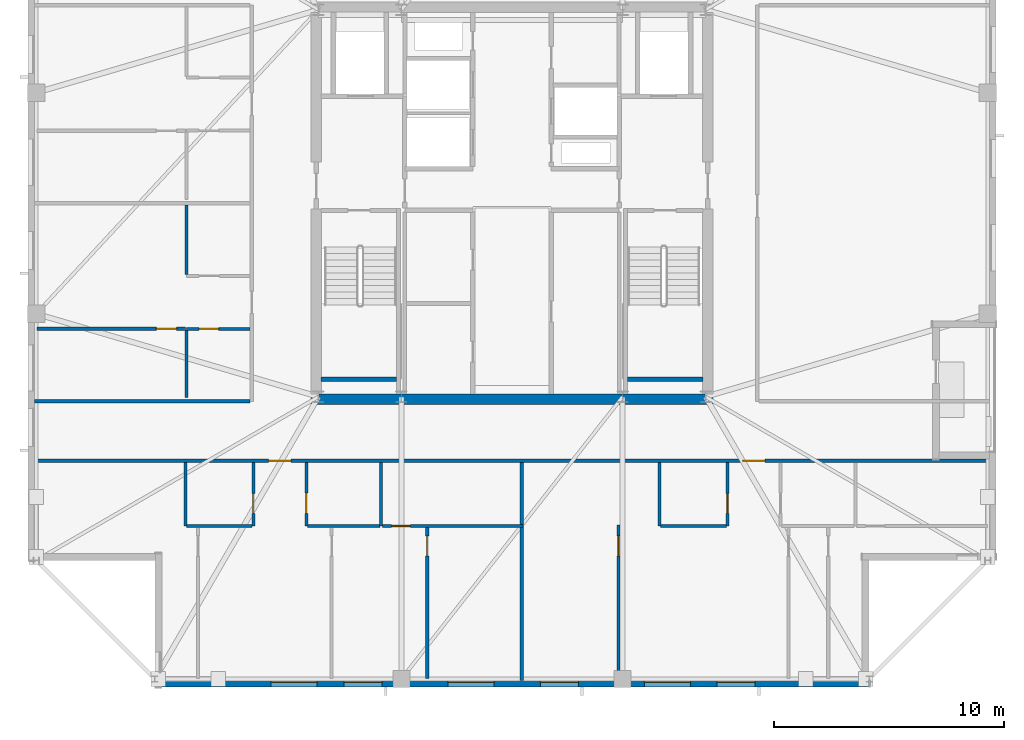
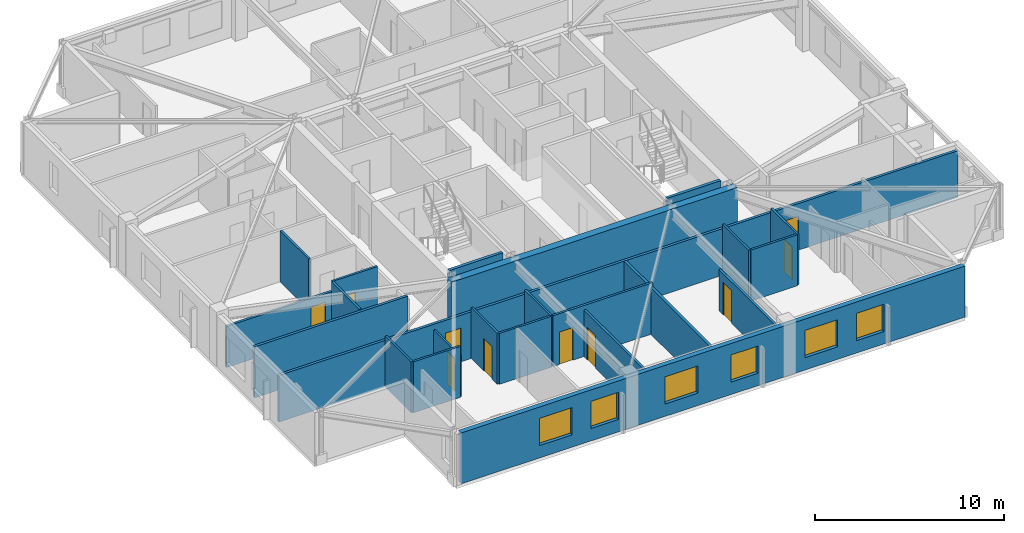
# One storey, part 7 of 15: 23 walls, 10 doors, 6 windows, 16 openings.
"""IFC4 building model written with IfcOpenShell, lengths in metres."""

from ifc_helpers import new_model, si_unit, direction, frame, frame_2d, origin, place, context, subcontext, project, spatial, rectangle, extrude, material, layer, layer_set, type_object, element, fill, save


model = new_model("IFC4")

# Units and contexts
model_context = context("Model", 3, precision=1e-05, world=origin(), true_north=direction((0.0, 1.0)))
body_context = subcontext(model_context, "Body", "Model", "MODEL_VIEW")
ifc_project = project(units=[si_unit("LENGTHUNIT", "METRE"), si_unit("AREAUNIT", "SQUARE_METRE"), si_unit("VOLUMEUNIT", "CUBIC_METRE"), si_unit("PLANEANGLEUNIT", "RADIAN"), si_unit("MASSUNIT", "GRAM", prefix="KILO")], contexts=[model_context])

# Site, building, storey
site_placement = place(None, origin())
site = spatial("IfcSite", under=ifc_project, at=site_placement, CompositionType="ELEMENT")
building_placement = place(site_placement, origin())
building = spatial("IfcBuilding", under=site, at=building_placement, Name="Cairnveth Concourse Tower", CompositionType="ELEMENT")
storey_placement = place(building_placement, frame((0.0, 0.0, 298.0)))
storey = spatial("IfcBuildingStorey", under=building, at=storey_placement, Name="L82", CompositionType="ELEMENT", Elevation=298.0)

# Wall, openings, doors
ifc_material_1 = material(Name="Gypsum Plasterboard Partition", Category="gypsum")
ifc_layer_1 = layer(ifc_material_1, 0.159912109375)
ifc_layer_set_1 = layer_set([ifc_layer_1], Name="Gypsum Plasterboard Partition")
wall_type_1 = type_object("IfcWallType", Name="ACOUSTIC PARTY WALL 180", PredefinedType="PARTITIONING", material=ifc_layer_set_1)
wall_1_placement = place(storey_placement, frame((31.284912109375, 27.822509765625, 0.0), z_axis=(0.0, 0.0, 1.0), x_axis=(1.0, 0.0, 0.0)))
wall_1 = element("IfcWall", 1, at=wall_1_placement, inside=storey, type_object=wall_type_1, Name="Interior Wall IW-L82-034", PredefinedType="PARTITIONING", context=body_context, shape_type="SweptSolid", body=[
    extrude(rectangle(XDim=41.43017578125, YDim=0.159912109375, at=frame_2d((20.715087890625, 0.0))), origin(), (0.0, 0.0, 1.0), 3.009033203125),
])
opening_1_placement = place(wall_1_placement, frame((10.15625, 0.0, 0.0)))
opening_1 = element("IfcOpeningElement", 2, at=opening_1_placement, cuts=wall_1, Name="Opening ID10", PredefinedType="OPENING", context=body_context, shape_type="SweptSolid", body=[
    extrude(rectangle(XDim=0.9599609375, YDim=2.179931640625, at=frame_2d((0.47998046875, 1.08984375))), frame((0.0, 0.08984375, 0.0), z_axis=(0.0, -1.0, 0.0), x_axis=(1.0, 0.0, 0.0)), (0.0, 0.0, 1.0), 0.179931640625),
])
opening_2_placement = place(wall_1_placement, frame((30.736083984375, 0.0, 0.0)))
opening_2 = element("IfcOpeningElement", 3, at=opening_2_placement, cuts=wall_1, Name="Opening ID10", PredefinedType="OPENING", context=body_context, shape_type="SweptSolid", body=[
    extrude(rectangle(XDim=0.9599609375, YDim=2.179931640625, at=frame_2d((0.47998046875, 1.08984375))), frame((0.0, 0.08984375, 0.0), z_axis=(0.0, -1.0, 0.0), x_axis=(1.0, 0.0, 0.0)), (0.0, 0.0, 1.0), 0.179931640625),
])
ifc_material_2 = material(Name="Solid Core Hardwood Timber Leaf", Category="wood")
door_type_1 = type_object("IfcDoorType", Name="FLAT ENTRANCE DOOR 960X2150", OperationType="NOTDEFINED", PredefinedType="DOOR", material=ifc_material_2)
door_1_placement = place(opening_1_placement, origin())
door_1 = element("IfcDoor", 4, at=door_1_placement, inside=storey, type_object=door_type_1, Name="Penthouse L82PS1 Entrance Door", OperationType="SINGLE_SWING_RIGHT", OverallHeight=2.179931640625, OverallWidth=0.9599609375, PredefinedType="DOOR", context=body_context, shape_type="SweptSolid", body=[
    extrude(rectangle(XDim=0.9599609375, YDim=2.179931640625, at=frame_2d((0.47998046875, 1.08984375))), frame((0.0, 0.02490234375, 0.0), z_axis=(0.0, -1.0, 0.0), x_axis=(1.0, 0.0, 0.0)), (0.0, 0.0, 1.0), 0.050048828125),
])
fill(opening_1, door_1)
door_2_placement = place(opening_2_placement, origin())
door_2 = element("IfcDoor", 5, at=door_2_placement, inside=storey, type_object=door_type_1, Name="Penthouse L82PS2 Entrance Door", OperationType="SINGLE_SWING_LEFT", OverallHeight=2.179931640625, OverallWidth=0.9599609375, PredefinedType="DOOR", context=body_context, shape_type="SweptSolid", body=[
    extrude(rectangle(XDim=0.9599609375, YDim=2.179931640625, at=frame_2d((0.47998046875, 1.08984375))), frame((0.0, 0.02490234375, 0.0), z_axis=(0.0, -1.0, 0.0), x_axis=(1.0, 0.0, 0.0)), (0.0, 0.0, 1.0), 0.050048828125),
])
fill(opening_2, door_2)

# Walls
wall_2_placement = place(storey_placement, frame((31.284912109375, 30.39990234375, 0.0), z_axis=(0.0, 0.0, 1.0), x_axis=(1.0, 0.0, 0.0)))
element("IfcWall", 6, at=wall_2_placement, inside=storey, type_object=wall_type_1, Name="Interior Wall IW-L82-038", PredefinedType="PARTITIONING", context=body_context, shape_type="SweptSolid", body=[
    extrude(rectangle(XDim=9.35009765625, YDim=0.159912109375, at=frame_2d((4.675048828125, 0.0))), origin(), (0.0, 0.0, 1.0), 3.2900390625),
])
wall_3_placement = place(storey_placement, frame((52.422607421875, 18.284912109375, 0.0), z_axis=(0.0, 0.0, 1.0), x_axis=(0.0, 1.0, 0.0)))
element("IfcWall", 7, at=wall_3_placement, inside=storey, type_object=wall_type_1, Name="Interior Wall IW-L82-052", PredefinedType="PARTITIONING", context=body_context, shape_type="SweptSolid", body=[
    extrude(rectangle(XDim=9.47265625, YDim=0.159912109375, at=frame_2d((4.736328125, 0.0))), origin(), (0.0, 0.0, 1.0), 3.009033203125),
])
ifc_material_3 = material(Name="Concrete N65 (65 MPa)", Category="concrete")
ifc_layer_2 = layer(ifc_material_3, 0.449951171875)
ifc_layer_set_2 = layer_set([ifc_layer_2], Name="Concrete N65 (65 MPa)")
wall_type_2 = type_object("IfcWallType", Name="CORE SHEAR WALL 450", PredefinedType="SHEAR", material=ifc_layer_set_2)
wall_4_placement = place(storey_placement, frame((43.27490234375, 30.5, 0.0), z_axis=(0.0, 0.0, 1.0), x_axis=(1.0, 0.0, 0.0)))
element("IfcWall", 8, at=wall_4_placement, inside=storey, type_object=wall_type_2, Name="Core South Shear Wall L82", PredefinedType="SHEAR", context=body_context, shape_type="SweptSolid", body=[
    extrude(rectangle(XDim=17.4501953125, YDim=0.449951171875, at=frame_2d((8.72509765625, 0.0))), origin(), (0.0, 0.0, 1.0), 3.2900390625),
])
ifc_material_4 = material(Name="Concrete N50 (50 MPa)", Category="concrete")
ifc_layer_3 = layer(ifc_material_4, 0.179931640625)
ifc_layer_set_3 = layer_set([ifc_layer_3], Name="Concrete N50 (50 MPa)")
wall_type_3 = type_object("IfcWallType", Name="FIRE SHAFT WALL 180", PredefinedType="SOLIDWALL", material=ifc_layer_set_3)
for number, where, z_axis, x_axis, name in (
    (9, (43.715087890625, 31.360107421875, 0.0), (0.0, 0.0, 1.0), (1.0, 0.0, 0.0), "Stair ST-1 Shaft Wall FAR L82"),
    (10, (57.0048828125, 31.360107421875, 0.0), (0.0, 0.0, 1.0), (1.0, 0.0, 0.0), "Stair ST-2 Shaft Wall FAR L82"),
):
    element("IfcWall", number, at=place(storey_placement, frame(where, z_axis=z_axis, x_axis=x_axis)), inside=storey, type_object=wall_type_3, Name=name, PredefinedType="SOLIDWALL", context=body_context, shape_type="SweptSolid", body=[
        extrude(rectangle(XDim=3.280029296875, YDim=0.179931640625, at=frame_2d((1.64013671875, 0.0))), origin(), (0.0, 0.0, 1.0), 3.2900390625),
    ])

# Wall, opening, door
ifc_layer_4 = layer(ifc_material_1, 0.139892578125)
ifc_layer_set_4 = layer_set([ifc_layer_4], Name="Gypsum Plasterboard Partition")
wall_type_4 = type_object("IfcWallType", Name="GYPSUM STUD PARTITION 140", PredefinedType="PARTITIONING", material=ifc_layer_set_4)
wall_5_placement = place(storey_placement, frame((48.322509765625, 18.3798828125, 0.0), z_axis=(0.0, 0.0, 1.0), x_axis=(0.0, 1.0, 0.0)))
wall_5 = element("IfcWall", 11, at=wall_5_placement, inside=storey, type_object=wall_type_4, Name="Interior Wall IW-L82-049", PredefinedType="PARTITIONING", context=body_context, shape_type="SweptSolid", body=[
    extrude(rectangle(XDim=6.652587890625, YDim=0.139892578125, at=frame_2d((3.326171875, 0.0))), origin(), (0.0, 0.0, 1.0), 3.009033203125),
])
opening_3_placement = place(wall_5_placement, frame((5.302490234375, 0.0, 0.0)))
opening_3 = element("IfcOpeningElement", 12, at=opening_3_placement, cuts=wall_5, Name="Opening ID18", PredefinedType="OPENING", context=body_context, shape_type="SweptSolid", body=[
    extrude(rectangle(XDim=0.8798828125, YDim=2.10009765625, at=frame_2d((0.43994140625, 1.050048828125))), frame((0.0, 0.079833984375, 0.0), z_axis=(0.0, -1.0, 0.0), x_axis=(1.0, 0.0, 0.0)), (0.0, 0.0, 1.0), 0.159912109375),
])
door_type_2 = type_object("IfcDoorType", Name="INTERIOR SINGLE DOOR 880X2100", OperationType="NOTDEFINED", PredefinedType="DOOR", material=ifc_material_2)
door_3_placement = place(opening_3_placement, origin())
door_3 = element("IfcDoor", 13, at=door_3_placement, inside=storey, type_object=door_type_2, Name="L82PS1 Bedroom 2 Door", OperationType="SINGLE_SWING_RIGHT", OverallHeight=2.10009765625, OverallWidth=0.8798828125, PredefinedType="DOOR", context=body_context, shape_type="SweptSolid", body=[
    extrude(rectangle(XDim=0.8798828125, YDim=2.10009765625, at=frame_2d((0.43994140625, 1.050048828125))), frame((0.0, 0.02490234375, 0.0), z_axis=(0.0, -1.0, 0.0), x_axis=(1.0, 0.0, 0.0)), (0.0, 0.0, 1.0), 0.050048828125),
])
fill(opening_3, door_3)

wall_6_placement = place(storey_placement, frame((46.37109375, 24.992431640625, 0.0), z_axis=(0.0, 0.0, 1.0), x_axis=(1.0, 0.0, 0.0)))
wall_6 = element("IfcWall", 14, at=wall_6_placement, inside=storey, type_object=wall_type_4, Name="Interior Wall IW-L82-050", PredefinedType="PARTITIONING", context=body_context, shape_type="SweptSolid", body=[
    extrude(rectangle(XDim=6.101318359375, YDim=0.139892578125, at=frame_2d((3.05078125, 0.0))), origin(), (0.0, 0.0, 1.0), 3.2900390625),
])
opening_4_placement = place(wall_6_placement, frame((0.39990234375, 0.0, 0.0)))
opening_4 = element("IfcOpeningElement", 15, at=opening_4_placement, cuts=wall_6, Name="Opening ID22", PredefinedType="OPENING", context=body_context, shape_type="SweptSolid", body=[
    extrude(rectangle(XDim=0.820068359375, YDim=2.10009765625, at=frame_2d((0.41015625, 1.050048828125))), frame((0.0, 0.079833984375, 0.0), z_axis=(0.0, -1.0, 0.0), x_axis=(1.0, 0.0, 0.0)), (0.0, 0.0, 1.0), 0.159912109375),
])
door_type_3 = type_object("IfcDoorType", Name="INTERIOR WC DOOR 820X2100", OperationType="NOTDEFINED", PredefinedType="DOOR", material=ifc_material_2)
door_4_placement = place(opening_4_placement, origin())
door_4 = element("IfcDoor", 16, at=door_4_placement, inside=storey, type_object=door_type_3, Name="L82PS1 Utility Door", OperationType="SINGLE_SWING_LEFT", OverallHeight=2.10009765625, OverallWidth=0.820068359375, PredefinedType="DOOR", context=body_context, shape_type="SweptSolid", body=[
    extrude(rectangle(XDim=0.820068359375, YDim=2.10009765625, at=frame_2d((0.41015625, 1.050048828125))), frame((0.0, 0.02490234375, 0.0), z_axis=(0.0, -1.0, 0.0), x_axis=(1.0, 0.0, 0.0)), (0.0, 0.0, 1.0), 0.050048828125),
])
fill(opening_4, door_4)

wall_7_placement = place(storey_placement, frame((56.62255859375, 18.3798828125, 0.0), z_axis=(0.0, 0.0, 1.0), x_axis=(0.0, 1.0, 0.0)))
wall_7 = element("IfcWall", 17, at=wall_7_placement, inside=storey, type_object=wall_type_4, Name="Interior Wall IW-L82-059", PredefinedType="PARTITIONING", context=body_context, shape_type="SweptSolid", body=[
    extrude(rectangle(XDim=6.652587890625, YDim=0.139892578125, at=frame_2d((3.326171875, 0.0))), origin(), (0.0, 0.0, 1.0), 2.653076171875),
])
opening_5_placement = place(wall_7_placement, frame((5.302490234375, 0.0, 0.0)))
opening_5 = element("IfcOpeningElement", 18, at=opening_5_placement, cuts=wall_7, Name="Opening ID18", PredefinedType="OPENING", context=body_context, shape_type="SweptSolid", body=[
    extrude(rectangle(XDim=0.8798828125, YDim=2.10009765625, at=frame_2d((0.43994140625, 1.050048828125))), frame((0.0, 0.079833984375, 0.0), z_axis=(0.0, -1.0, 0.0), x_axis=(1.0, 0.0, 0.0)), (0.0, 0.0, 1.0), 0.159912109375),
])
door_5_placement = place(opening_5_placement, origin())
door_5 = element("IfcDoor", 19, at=door_5_placement, inside=storey, type_object=door_type_2, Name="L82PS2 Master Bedroom Door", OperationType="SINGLE_SWING_LEFT", OverallHeight=2.10009765625, OverallWidth=0.8798828125, PredefinedType="DOOR", context=body_context, shape_type="SweptSolid", body=[
    extrude(rectangle(XDim=0.8798828125, YDim=2.10009765625, at=frame_2d((0.43994140625, 1.050048828125))), frame((0.0, 0.02490234375, 0.0), z_axis=(0.0, -1.0, 0.0), x_axis=(1.0, 0.0, 0.0)), (0.0, 0.0, 1.0), 0.050048828125),
])
fill(opening_5, door_5)

wall_8_placement = place(storey_placement, frame((31.3798828125, 33.550048828125, 0.0), z_axis=(0.0, 0.0, 1.0), x_axis=(1.0, 0.0, 0.0)))
wall_8 = element("IfcWall", 20, at=wall_8_placement, inside=storey, type_object=wall_type_4, Name="Interior Wall IW-L82-079", PredefinedType="PARTITIONING", context=body_context, shape_type="SweptSolid", body=[
    extrude(rectangle(XDim=6.440185546875, YDim=0.139892578125, at=frame_2d((3.22021484375, 0.0))), origin(), (0.0, 0.0, 1.0), 2.653076171875),
])
opening_6_placement = place(wall_8_placement, frame((5.179931640625, 0.0, 0.0)))
opening_6 = element("IfcOpeningElement", 21, at=opening_6_placement, cuts=wall_8, Name="Opening ID18", PredefinedType="OPENING", context=body_context, shape_type="SweptSolid", body=[
    extrude(rectangle(XDim=0.8798828125, YDim=2.10009765625, at=frame_2d((0.43994140625, 1.050048828125))), frame((0.0, 0.079833984375, 0.0), z_axis=(0.0, -1.0, 0.0), x_axis=(1.0, 0.0, 0.0)), (0.0, 0.0, 1.0), 0.159912109375),
])
door_6_placement = place(opening_6_placement, origin())
door_6 = element("IfcDoor", 22, at=door_6_placement, inside=storey, type_object=door_type_2, Name="L82PW1 Master Bedroom Door", OperationType="SINGLE_SWING_RIGHT", OverallHeight=2.10009765625, OverallWidth=0.8798828125, PredefinedType="DOOR", context=body_context, shape_type="SweptSolid", body=[
    extrude(rectangle(XDim=0.8798828125, YDim=2.10009765625, at=frame_2d((0.43994140625, 1.050048828125))), frame((0.0, 0.02490234375, 0.0), z_axis=(0.0, -1.0, 0.0), x_axis=(1.0, 0.0, 0.0)), (0.0, 0.0, 1.0), 0.050048828125),
])
fill(opening_6, door_6)

# Wall
ifc_layer_5 = layer(ifc_material_1, 0.1298828125)
ifc_layer_set_5 = layer_set([ifc_layer_5], Name="Gypsum Plasterboard Partition")
wall_type_5 = type_object("IfcWallType", Name="WET AREA PARTITION 140", PredefinedType="PLUMBINGWALL", material=ifc_layer_set_5)
wall_9_placement = place(storey_placement, frame((37.8212890625, 24.992431640625, 0.0), z_axis=(0.0, 0.0, 1.0), x_axis=(0.0, 1.0, 0.0)))
element("IfcWall", 23, at=wall_9_placement, inside=storey, type_object=wall_type_5, Name="Interior Wall IW-L82-042", PredefinedType="PLUMBINGWALL", context=body_context, shape_type="SweptSolid", body=[
    extrude(rectangle(XDim=2.75, YDim=0.1298828125, at=frame_2d((1.375, 0.0))), origin(), (0.0, 0.0, 1.0), 3.2900390625),
])

# Wall, opening, door
wall_10_placement = place(storey_placement, frame((40.771240234375, 24.992431640625, 0.0), z_axis=(0.0, 0.0, 1.0), x_axis=(0.0, 1.0, 0.0)))
wall_10 = element("IfcWall", 24, at=wall_10_placement, inside=storey, type_object=wall_type_5, Name="Interior Wall IW-L82-043", PredefinedType="PLUMBINGWALL", context=body_context, shape_type="SweptSolid", body=[
    extrude(rectangle(XDim=2.75, YDim=0.1298828125, at=frame_2d((1.375, 0.0))), origin(), (0.0, 0.0, 1.0), 2.653076171875),
])
opening_7_placement = place(wall_10_placement, frame((0.550048828125, 0.0, 0.0)))
opening_7 = element("IfcOpeningElement", 25, at=opening_7_placement, cuts=wall_10, Name="Opening ID21", PredefinedType="OPENING", context=body_context, shape_type="SweptSolid", body=[
    extrude(rectangle(XDim=0.85009765625, YDim=2.080078125, at=frame_2d((0.425048828125, 1.0400390625))), frame((0.0, 0.074951171875, 0.0), z_axis=(0.0, -1.0, 0.0), x_axis=(1.0, 0.0, 0.0)), (0.0, 0.0, 1.0), 0.14990234375),
])
door_type_4 = type_object("IfcDoorType", Name="INTERIOR WC DOOR 850X2100", OperationType="NOTDEFINED", PredefinedType="DOOR", material=ifc_material_2)
door_7_placement = place(opening_7_placement, origin())
door_7 = element("IfcDoor", 26, at=door_7_placement, inside=storey, type_object=door_type_4, Name="L82PS1 Bathroom Door", OperationType="SINGLE_SWING_RIGHT", OverallHeight=2.080078125, OverallWidth=0.85009765625, PredefinedType="DOOR", context=body_context, shape_type="SweptSolid", body=[
    extrude(rectangle(XDim=0.85009765625, YDim=2.080078125, at=frame_2d((0.425048828125, 1.0400390625))), frame((0.0, 0.02490234375, 0.0), z_axis=(0.0, -1.0, 0.0), x_axis=(1.0, 0.0, 0.0)), (0.0, 0.0, 1.0), 0.050048828125),
])
fill(opening_7, door_7)

# Walls
wall_11_placement = place(storey_placement, frame((37.871337890625, 24.992431640625, 0.0), z_axis=(0.0, 0.0, 1.0), x_axis=(1.0, 0.0, 0.0)))
element("IfcWall", 27, at=wall_11_placement, inside=storey, type_object=wall_type_5, Name="Interior Wall IW-L82-044", PredefinedType="PLUMBINGWALL", context=body_context, shape_type="SweptSolid", body=[
    extrude(rectangle(XDim=2.849853515625, YDim=0.1298828125, at=frame_2d((1.4248046875, 0.0))), origin(), (0.0, 0.0, 1.0), 3.2900390625),
])
wall_12_placement = place(storey_placement, frame((46.3212890625, 24.992431640625, 0.0), z_axis=(0.0, 0.0, 1.0), x_axis=(0.0, 1.0, 0.0)))
element("IfcWall", 28, at=wall_12_placement, inside=storey, type_object=wall_type_5, Name="Interior Wall IW-L82-045", PredefinedType="PLUMBINGWALL", context=body_context, shape_type="SweptSolid", body=[
    extrude(rectangle(XDim=2.75, YDim=0.1298828125, at=frame_2d((1.375, 0.0))), origin(), (0.0, 0.0, 1.0), 3.2900390625),
])

# Wall, opening, door
wall_13_placement = place(storey_placement, frame((43.0712890625, 24.992431640625, 0.0), z_axis=(0.0, 0.0, 1.0), x_axis=(0.0, 1.0, 0.0)))
wall_13 = element("IfcWall", 29, at=wall_13_placement, inside=storey, type_object=wall_type_5, Name="Interior Wall IW-L82-046", PredefinedType="PLUMBINGWALL", context=body_context, shape_type="SweptSolid", body=[
    extrude(rectangle(XDim=2.75, YDim=0.1298828125, at=frame_2d((1.375, 0.0))), origin(), (0.0, 0.0, 1.0), 3.2900390625),
])
opening_8_placement = place(wall_13_placement, frame((0.550048828125, 0.0, 0.0)))
opening_8 = element("IfcOpeningElement", 30, at=opening_8_placement, cuts=wall_13, Name="Opening ID18", PredefinedType="OPENING", context=body_context, shape_type="SweptSolid", body=[
    extrude(rectangle(XDim=0.8798828125, YDim=2.10009765625, at=frame_2d((0.43994140625, 1.050048828125))), frame((0.0, 0.074951171875, 0.0), z_axis=(0.0, -1.0, 0.0), x_axis=(1.0, 0.0, 0.0)), (0.0, 0.0, 1.0), 0.14990234375),
])
door_8_placement = place(opening_8_placement, origin())
door_8 = element("IfcDoor", 31, at=door_8_placement, inside=storey, type_object=door_type_2, Name="L82PS1 Kitchen Door", OperationType="SINGLE_SWING_LEFT", OverallHeight=2.10009765625, OverallWidth=0.8798828125, PredefinedType="DOOR", context=body_context, shape_type="SweptSolid", body=[
    extrude(rectangle(XDim=0.8798828125, YDim=2.10009765625, at=frame_2d((0.43994140625, 1.050048828125))), frame((0.0, 0.02490234375, 0.0), z_axis=(0.0, -1.0, 0.0), x_axis=(1.0, 0.0, 0.0)), (0.0, 0.0, 1.0), 0.050048828125),
])
fill(opening_8, door_8)

# Walls
wall_14_placement = place(storey_placement, frame((43.12109375, 24.992431640625, 0.0), z_axis=(0.0, 0.0, 1.0), x_axis=(1.0, 0.0, 0.0)))
element("IfcWall", 32, at=wall_14_placement, inside=storey, type_object=wall_type_5, Name="Interior Wall IW-L82-047", PredefinedType="PLUMBINGWALL", context=body_context, shape_type="SweptSolid", body=[
    extrude(rectangle(XDim=3.150146484375, YDim=0.1298828125, at=frame_2d((1.5751953125, 0.0))), origin(), (0.0, 0.0, 1.0), 3.2900390625),
])
wall_15_placement = place(storey_placement, frame((58.4013671875, 24.992431640625, 0.0), z_axis=(0.0, 0.0, 1.0), x_axis=(0.0, 1.0, 0.0)))
element("IfcWall", 33, at=wall_15_placement, inside=storey, type_object=wall_type_5, Name="Interior Wall IW-L82-053", PredefinedType="PLUMBINGWALL", context=body_context, shape_type="SweptSolid", body=[
    extrude(rectangle(XDim=2.75, YDim=0.1298828125, at=frame_2d((1.375, 0.0))), origin(), (0.0, 0.0, 1.0), 3.2900390625),
])

# Wall, opening, door
wall_16_placement = place(storey_placement, frame((61.351318359375, 24.992431640625, 0.0), z_axis=(0.0, 0.0, 1.0), x_axis=(0.0, 1.0, 0.0)))
wall_16 = element("IfcWall", 34, at=wall_16_placement, inside=storey, type_object=wall_type_5, Name="Interior Wall IW-L82-054", PredefinedType="PLUMBINGWALL", context=body_context, shape_type="SweptSolid", body=[
    extrude(rectangle(XDim=2.75, YDim=0.1298828125, at=frame_2d((1.375, 0.0))), origin(), (0.0, 0.0, 1.0), 3.2900390625),
])
opening_9_placement = place(wall_16_placement, frame((0.550048828125, 0.0, 0.0)))
opening_9 = element("IfcOpeningElement", 35, at=opening_9_placement, cuts=wall_16, Name="Opening ID21", PredefinedType="OPENING", context=body_context, shape_type="SweptSolid", body=[
    extrude(rectangle(XDim=0.85009765625, YDim=2.080078125, at=frame_2d((0.425048828125, 1.0400390625))), frame((0.0, 0.074951171875, 0.0), z_axis=(0.0, -1.0, 0.0), x_axis=(1.0, 0.0, 0.0)), (0.0, 0.0, 1.0), 0.14990234375),
])
door_9_placement = place(opening_9_placement, origin())
door_9 = element("IfcDoor", 36, at=door_9_placement, inside=storey, type_object=door_type_4, Name="L82PS2 Bathroom Door", OperationType="SINGLE_SWING_LEFT", OverallHeight=2.080078125, OverallWidth=0.85009765625, PredefinedType="DOOR", context=body_context, shape_type="SweptSolid", body=[
    extrude(rectangle(XDim=0.85009765625, YDim=2.080078125, at=frame_2d((0.425048828125, 1.0400390625))), frame((0.0, 0.02490234375, 0.0), z_axis=(0.0, -1.0, 0.0), x_axis=(1.0, 0.0, 0.0)), (0.0, 0.0, 1.0), 0.050048828125),
])
fill(opening_9, door_9)

# Wall
wall_17_placement = place(storey_placement, frame((58.451416015625, 24.992431640625, 0.0), z_axis=(0.0, 0.0, 1.0), x_axis=(1.0, 0.0, 0.0)))
element("IfcWall", 37, at=wall_17_placement, inside=storey, type_object=wall_type_5, Name="Interior Wall IW-L82-055", PredefinedType="PLUMBINGWALL", context=body_context, shape_type="SweptSolid", body=[
    extrude(rectangle(XDim=2.849853515625, YDim=0.1298828125, at=frame_2d((1.4248046875, 0.0))), origin(), (0.0, 0.0, 1.0), 3.2900390625),
])

# Wall, opening, door
wall_18_placement = place(storey_placement, frame((37.8701171875, 33.550048828125, 0.0), z_axis=(0.0, 0.0, 1.0), x_axis=(1.0, 0.0, 0.0)))
wall_18 = element("IfcWall", 38, at=wall_18_placement, inside=storey, type_object=wall_type_5, Name="Interior Wall IW-L82-075", PredefinedType="PLUMBINGWALL", context=body_context, shape_type="SweptSolid", body=[
    extrude(rectangle(XDim=2.75, YDim=0.1298828125, at=frame_2d((1.375, 0.0))), origin(), (0.0, 0.0, 1.0), 3.2900390625),
])
opening_10_placement = place(wall_18_placement, frame((0.550048828125, 0.0, 0.0)))
opening_10 = element("IfcOpeningElement", 39, at=opening_10_placement, cuts=wall_18, Name="Opening ID21", PredefinedType="OPENING", context=body_context, shape_type="SweptSolid", body=[
    extrude(rectangle(XDim=0.85009765625, YDim=2.080078125, at=frame_2d((0.425048828125, 1.0400390625))), frame((0.0, 0.074951171875, 0.0), z_axis=(0.0, -1.0, 0.0), x_axis=(1.0, 0.0, 0.0)), (0.0, 0.0, 1.0), 0.14990234375),
])
door_10_placement = place(opening_10_placement, origin())
door_10 = element("IfcDoor", 40, at=door_10_placement, inside=storey, type_object=door_type_4, Name="L82PW1 Bathroom Door", OperationType="SINGLE_SWING_RIGHT", OverallHeight=2.080078125, OverallWidth=0.85009765625, PredefinedType="DOOR", context=body_context, shape_type="SweptSolid", body=[
    extrude(rectangle(XDim=0.85009765625, YDim=2.080078125, at=frame_2d((0.425048828125, 1.0400390625))), frame((0.0, 0.02490234375, 0.0), z_axis=(0.0, -1.0, 0.0), x_axis=(1.0, 0.0, 0.0)), (0.0, 0.0, 1.0), 0.050048828125),
])
fill(opening_10, door_10)

# Walls
wall_19_placement = place(storey_placement, frame((37.8701171875, 30.56005859375, 0.0), z_axis=(0.0, 0.0, 1.0), x_axis=(0.0, 1.0, 0.0)))
element("IfcWall", 41, at=wall_19_placement, inside=storey, type_object=wall_type_5, Name="Interior Wall IW-L82-076", PredefinedType="PLUMBINGWALL", context=body_context, shape_type="SweptSolid", body=[
    extrude(rectangle(XDim=2.93994140625, YDim=0.1298828125, at=frame_2d((1.469970703125, 0.0))), origin(), (0.0, 0.0, 1.0), 3.2900390625),
])
wall_20_placement = place(storey_placement, frame((37.8701171875, 35.89990234375, 0.0), z_axis=(0.0, 0.0, 1.0), x_axis=(0.0, 1.0, 0.0)))
element("IfcWall", 42, at=wall_20_placement, inside=storey, type_object=wall_type_5, Name="Interior Wall IW-L82-078", PredefinedType="PLUMBINGWALL", context=body_context, shape_type="SweptSolid", body=[
    extrude(rectangle(XDim=3.03515625, YDim=0.1298828125, at=frame_2d((1.517578125, 0.0))), origin(), (0.0, 0.0, 1.0), 3.2900390625),
])

# Wall, openings, windows
ifc_material_5 = material(Name="Hawthorn Red-Ochre Fired Clay Brick Masonry", Category="masonry")
ifc_layer_6 = layer(ifc_material_5, 0.300048828125)
ifc_layer_set_6 = layer_set([ifc_layer_6], Name="Hawthorn Red-Ochre Fired Clay Brick Masonry")
wall_type_6 = type_object("IfcWallType", Name="ZONE 4 BRICK PIER SPANDREL WALL 300", PredefinedType="SOLIDWALL", material=ifc_layer_set_6)
wall_21_placement = place(storey_placement, frame((67.5, 18.14990234375, 0.0), z_axis=(0.0, 0.0, 1.0), x_axis=(-1.0, 0.0, 0.0)))
wall_21 = element("IfcWall", 43, at=wall_21_placement, inside=storey, type_object=wall_type_6, Name="Exterior Wall EW-L82-S03", PredefinedType="SOLIDWALL", context=body_context, shape_type="SweptSolid", body=[
    extrude(rectangle(XDim=30.721923828125, YDim=0.300048828125, at=frame_2d((15.36083984375, 0.0))), origin(), (0.0, 0.0, 1.0), 3.2900390625),
])
opening_11_placement = place(wall_21_placement, frame((4.943603515625, 0.0, 0.800048828125)))
opening_11 = element("IfcOpeningElement", 44, at=opening_11_placement, cuts=wall_21, Name="Opening W04", PredefinedType="OPENING", context=body_context, shape_type="SweptSolid", body=[
    extrude(rectangle(XDim=1.64990234375, YDim=1.758056640625, at=frame_2d((0.824951171875, 0.87890625))), frame((0.0, 0.159912109375, 0.0), z_axis=(0.0, -1.0, 0.0), x_axis=(1.0, 0.0, 0.0)), (0.0, 0.0, 1.0), 0.320068359375),
])
opening_12_placement = place(wall_21_placement, frame((7.755615234375, 0.0, 0.800048828125)))
opening_12 = element("IfcOpeningElement", 45, at=opening_12_placement, cuts=wall_21, Name="Opening W09", PredefinedType="OPENING", context=body_context, shape_type="SweptSolid", body=[
    extrude(rectangle(XDim=2.0, YDim=1.758056640625, at=frame_2d((1.0, 0.87890625))), frame((0.0, 0.159912109375, 0.0), z_axis=(0.0, -1.0, 0.0), x_axis=(1.0, 0.0, 0.0)), (0.0, 0.0, 1.0), 0.320068359375),
])
opening_13_placement = place(wall_21_placement, frame((12.617431640625, 0.0, 0.800048828125)))
opening_13 = element("IfcOpeningElement", 46, at=opening_13_placement, cuts=wall_21, Name="Opening W04", PredefinedType="OPENING", context=body_context, shape_type="SweptSolid", body=[
    extrude(rectangle(XDim=1.64990234375, YDim=1.758056640625, at=frame_2d((0.824951171875, 0.87890625))), frame((0.0, 0.159912109375, 0.0), z_axis=(0.0, -1.0, 0.0), x_axis=(1.0, 0.0, 0.0)), (0.0, 0.0, 1.0), 0.320068359375),
])
opening_14_placement = place(wall_21_placement, frame((16.279541015625, 0.0, 0.800048828125)))
opening_14 = element("IfcOpeningElement", 47, at=opening_14_placement, cuts=wall_21, Name="Opening W09", PredefinedType="OPENING", context=body_context, shape_type="SweptSolid", body=[
    extrude(rectangle(XDim=2.0, YDim=1.758056640625, at=frame_2d((1.0, 0.87890625))), frame((0.0, 0.159912109375, 0.0), z_axis=(0.0, -1.0, 0.0), x_axis=(1.0, 0.0, 0.0)), (0.0, 0.0, 1.0), 0.320068359375),
])
opening_15_placement = place(wall_21_placement, frame((21.1416015625, 0.0, 0.800048828125)))
opening_15 = element("IfcOpeningElement", 48, at=opening_15_placement, cuts=wall_21, Name="Opening W04", PredefinedType="OPENING", context=body_context, shape_type="SweptSolid", body=[
    extrude(rectangle(XDim=1.64990234375, YDim=1.758056640625, at=frame_2d((0.824951171875, 0.87890625))), frame((0.0, 0.159912109375, 0.0), z_axis=(0.0, -1.0, 0.0), x_axis=(1.0, 0.0, 0.0)), (0.0, 0.0, 1.0), 0.320068359375),
])
opening_16_placement = place(wall_21_placement, frame((23.95361328125, 0.0, 0.800048828125)))
opening_16 = element("IfcOpeningElement", 49, at=opening_16_placement, cuts=wall_21, Name="Opening W09", PredefinedType="OPENING", context=body_context, shape_type="SweptSolid", body=[
    extrude(rectangle(XDim=2.0, YDim=1.758056640625, at=frame_2d((1.0, 0.87890625))), frame((0.0, 0.159912109375, 0.0), z_axis=(0.0, -1.0, 0.0), x_axis=(1.0, 0.0, 0.0)), (0.0, 0.0, 1.0), 0.320068359375),
])
ifc_material_6 = material(Name="Double Glazed Low-E Clear Glass", Category="glass")
window_type_1 = type_object("IfcWindowType", Name="DEEP-SET GOTHIC LANCET WINDOW 1650X1850", PartitioningType="DOUBLE_PANEL_VERTICAL", PredefinedType="WINDOW", material=ifc_material_6)
window_1_placement = place(opening_11_placement, origin())
window_1 = element("IfcWindow", 50, at=window_1_placement, inside=storey, type_object=window_type_1, Name="Gothic Lancet Window L82-3-1", OverallHeight=1.758056640625, OverallWidth=1.64990234375, PartitioningType="SINGLE_PANEL", PredefinedType="WINDOW", context=body_context, shape_type="SweptSolid", body=[
    extrude(rectangle(XDim=1.64990234375, YDim=1.758056640625, at=frame_2d((0.824951171875, 0.87890625))), frame((0.0, -0.050048828125, 0.0), z_axis=(0.0, -1.0, 0.0), x_axis=(1.0, 0.0, 0.0)), (0.0, 0.0, 1.0), 0.06005859375),
])
fill(opening_11, window_1)
window_2_placement = place(opening_13_placement, origin())
window_2 = element("IfcWindow", 51, at=window_2_placement, inside=storey, type_object=window_type_1, Name="Gothic Lancet Window L82-3-3", OverallHeight=1.758056640625, OverallWidth=1.64990234375, PartitioningType="SINGLE_PANEL", PredefinedType="WINDOW", context=body_context, shape_type="SweptSolid", body=[
    extrude(rectangle(XDim=1.64990234375, YDim=1.758056640625, at=frame_2d((0.824951171875, 0.87890625))), frame((0.0, -0.050048828125, 0.0), z_axis=(0.0, -1.0, 0.0), x_axis=(1.0, 0.0, 0.0)), (0.0, 0.0, 1.0), 0.06005859375),
])
fill(opening_13, window_2)
window_3_placement = place(opening_15_placement, origin())
window_3 = element("IfcWindow", 52, at=window_3_placement, inside=storey, type_object=window_type_1, Name="Gothic Lancet Window L82-3-5", OverallHeight=1.758056640625, OverallWidth=1.64990234375, PartitioningType="SINGLE_PANEL", PredefinedType="WINDOW", context=body_context, shape_type="SweptSolid", body=[
    extrude(rectangle(XDim=1.64990234375, YDim=1.758056640625, at=frame_2d((0.824951171875, 0.87890625))), frame((0.0, -0.050048828125, 0.0), z_axis=(0.0, -1.0, 0.0), x_axis=(1.0, 0.0, 0.0)), (0.0, 0.0, 1.0), 0.06005859375),
])
fill(opening_15, window_3)
window_type_2 = type_object("IfcWindowType", Name="DEEP-SET PENTHOUSE LANCET WINDOW 2000X1850", PartitioningType="DOUBLE_PANEL_VERTICAL", PredefinedType="WINDOW", material=ifc_material_6)
window_4_placement = place(opening_12_placement, origin())
window_4 = element("IfcWindow", 53, at=window_4_placement, inside=storey, type_object=window_type_2, Name="Gothic Lancet Window L82-3-2", OverallHeight=1.758056640625, OverallWidth=2.0, PartitioningType="SINGLE_PANEL", PredefinedType="WINDOW", context=body_context, shape_type="SweptSolid", body=[
    extrude(rectangle(XDim=2.0, YDim=1.758056640625, at=frame_2d((1.0, 0.87890625))), frame((0.0, -0.050048828125, 0.0), z_axis=(0.0, -1.0, 0.0), x_axis=(1.0, 0.0, 0.0)), (0.0, 0.0, 1.0), 0.06005859375),
])
fill(opening_12, window_4)
window_5_placement = place(opening_14_placement, origin())
window_5 = element("IfcWindow", 54, at=window_5_placement, inside=storey, type_object=window_type_2, Name="Gothic Lancet Window L82-3-4", OverallHeight=1.758056640625, OverallWidth=2.0, PartitioningType="SINGLE_PANEL", PredefinedType="WINDOW", context=body_context, shape_type="SweptSolid", body=[
    extrude(rectangle(XDim=2.0, YDim=1.758056640625, at=frame_2d((1.0, 0.87890625))), frame((0.0, -0.050048828125, 0.0), z_axis=(0.0, -1.0, 0.0), x_axis=(1.0, 0.0, 0.0)), (0.0, 0.0, 1.0), 0.06005859375),
])
fill(opening_14, window_5)
window_6_placement = place(opening_16_placement, origin())
window_6 = element("IfcWindow", 55, at=window_6_placement, inside=storey, type_object=window_type_2, Name="Gothic Lancet Window L82-3-6", OverallHeight=1.758056640625, OverallWidth=2.0, PartitioningType="SINGLE_PANEL", PredefinedType="WINDOW", context=body_context, shape_type="SweptSolid", body=[
    extrude(rectangle(XDim=2.0, YDim=1.758056640625, at=frame_2d((1.0, 0.87890625))), frame((0.0, -0.050048828125, 0.0), z_axis=(0.0, -1.0, 0.0), x_axis=(1.0, 0.0, 0.0)), (0.0, 0.0, 1.0), 0.06005859375),
])
fill(opening_16, window_6)

save(model, "model.ifc")
